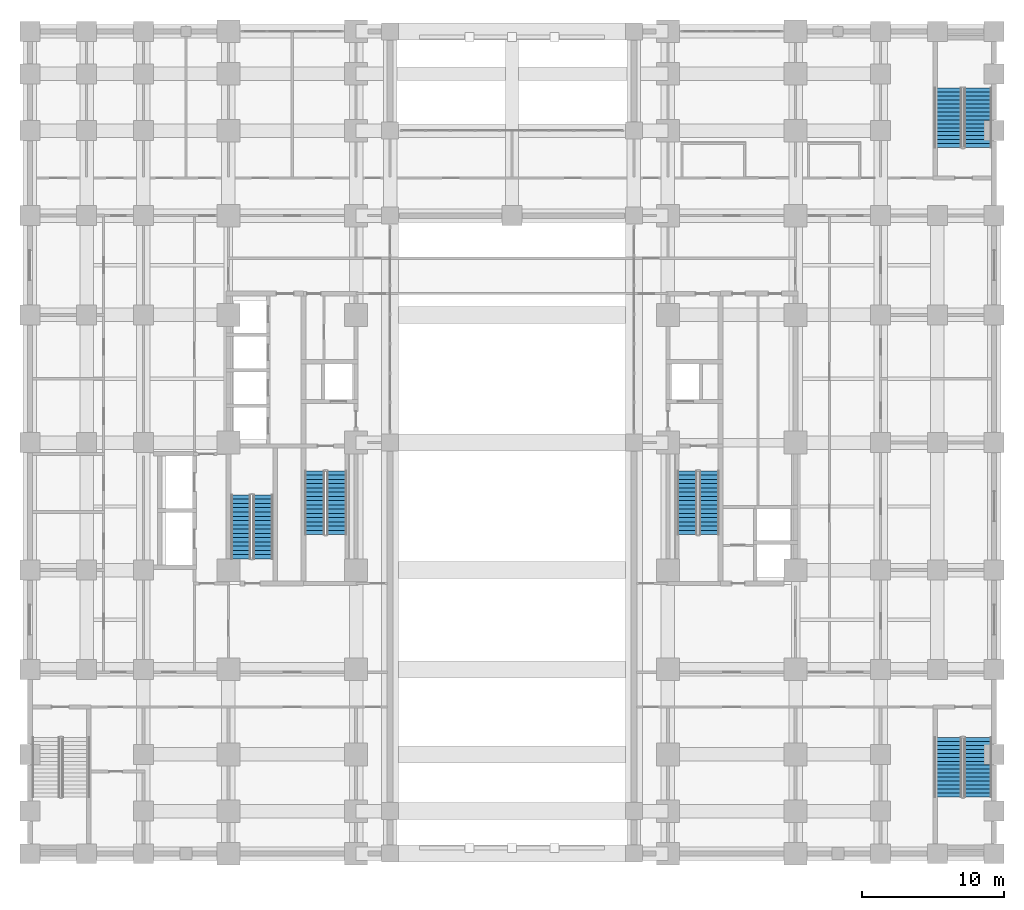
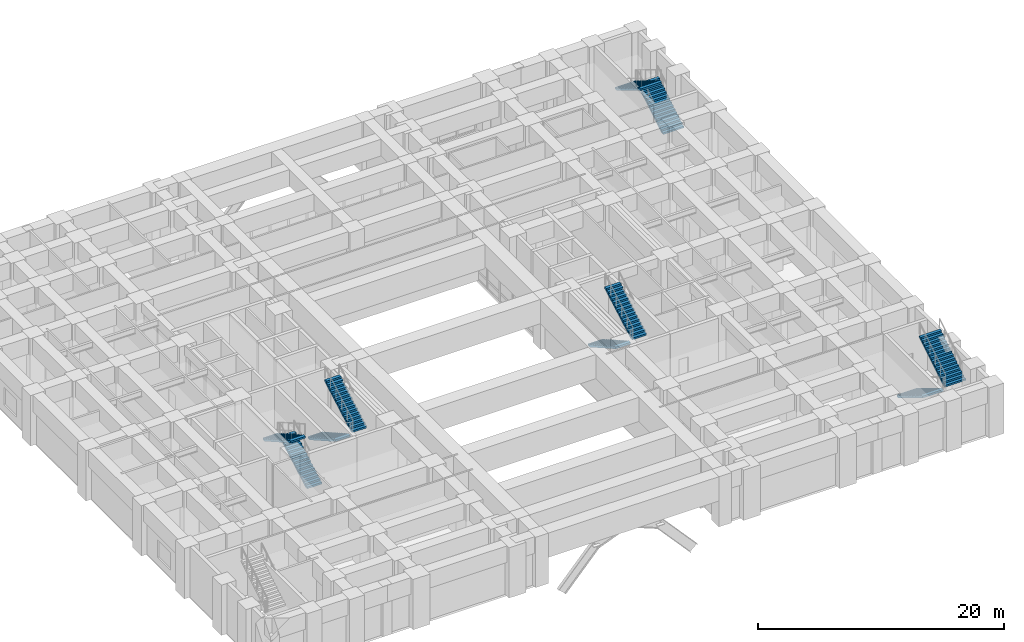
# One storey, part 18 of 24: 10 stair flights, 5 elements without a shape of their own.
"""IFC4 building model written with IfcOpenShell, lengths in metres."""

from ifc_helpers import new_model, si_unit, direction, frame, origin, place, context, subcontext, project, spatial, polyline, outline, extrude, material, layer, layer_set, type_object, element, aggregate, save


model = new_model("IFC4")

# Units and contexts
model_context = context("Model", 3, precision=1e-05, world=origin(), true_north=direction((0.0, 1.0)))
body_context = subcontext(model_context, "Body", "Model", "MODEL_VIEW")
ifc_project = project(units=[si_unit("LENGTHUNIT", "METRE"), si_unit("AREAUNIT", "SQUARE_METRE"), si_unit("VOLUMEUNIT", "CUBIC_METRE"), si_unit("PLANEANGLEUNIT", "RADIAN"), si_unit("MASSUNIT", "GRAM", prefix="KILO")], contexts=[model_context])

# Site, building, storey
site_placement = place(None, origin())
site = spatial("IfcSite", under=ifc_project, at=site_placement, CompositionType="ELEMENT")
building_placement = place(site_placement, origin())
building = spatial("IfcBuilding", under=site, at=building_placement, Name="Zulmaris Gate Convention Tower", CompositionType="ELEMENT")
storey_placement = place(building_placement, frame((0.0, 0.0, 16.320068359375)))
storey = spatial("IfcBuildingStorey", under=building, at=storey_placement, Name="L03", CompositionType="ELEMENT", Elevation=16.320068359375)

# Stair, stair flights
ifc_material = material(Name="Concrete C45/55", Category="concrete")
stair_type_1 = type_object("IfcStairType", Name="ST-CORE-DOGLEG", PredefinedType="HALF_TURN_STAIR", material=ifc_material)
stair_1_placement = place(storey_placement, origin())
stair_1 = element("IfcStair", 1, at=stair_1_placement, inside=storey, type_object=stair_type_1, Name="L03 Core Exit Stair ST-1", PredefinedType="HALF_TURN_STAIR")
ifc_layer_1 = layer(ifc_material, 0.14990234375, Name="Concrete C45/55")
ifc_layer_set_1 = layer_set([ifc_layer_1], Name="Concrete C45/55")
stair_flight_type_1 = type_object("IfcStairFlightType", Name="STF-RC150", PredefinedType="STRAIGHT", material=ifc_layer_set_1)
stair_flight_1_placement = place(storey_placement, frame((-13.919921875, -2.0, 0.0), z_axis=(0.0, 0.0, 1.0), x_axis=(0.0, -1.0, 0.0)))
stair_flight_1 = element("IfcStairFlight", 2, at=stair_flight_1_placement, type_object=stair_flight_type_1, Name="ST-1 flight 1", NumberOfRisers=16, NumberOfTreads=15, PredefinedType="STRAIGHT", RiserHeight=0.169996875, TreadLength=0.3, context=body_context, shape_type="SweptSolid", body=[
    extrude(outline(polyline([(0.0, 0.0), (0.0, 0.169921875), (0.300048828125, 0.169921875), (0.300048828125, 0.340087890625), (0.60009765625, 0.340087890625), (0.60009765625, 0.510009765625), (0.89990234375, 0.510009765625), (0.89990234375, 0.679931640625), (1.199951171875, 0.679931640625), (1.199951171875, 0.85009765625), (1.5, 0.85009765625), (1.5, 1.02001953125), (1.800048828125, 1.02001953125), (1.800048828125, 1.18994140625), (2.10009765625, 1.18994140625), (2.10009765625, 1.35986328125), (2.39990234375, 1.35986328125), (2.39990234375, 1.530029296875), (2.699951171875, 1.530029296875), (2.699951171875, 1.699951171875), (3.0, 1.699951171875), (3.0, 1.869873046875), (3.300048828125, 1.869873046875), (3.300048828125, 2.0400390625), (3.60009765625, 2.0400390625), (3.60009765625, 2.2099609375), (3.89990234375, 2.2099609375), (3.89990234375, 2.3798828125), (4.199951171875, 2.3798828125), (4.199951171875, 2.550048828125), (4.5, 2.550048828125), (4.5, 2.719970703125), (4.5, 2.377685546875), (0.303955078125, 0.0), (0.0, 0.0)])), frame((0.0, 0.699951171875, 0.0), z_axis=(0.0, -1.0, 0.0), x_axis=(1.0, 0.0, 0.0)), (0.0, 0.0, 1.0), 1.39990234375),
])
stair_flight_2_placement = place(storey_placement, frame((-12.360107421875, -6.5, 2.719970703125), z_axis=(0.0, 0.0, 1.0), x_axis=(0.0, 1.0, 0.0)))
stair_flight_2 = element("IfcStairFlight", 3, at=stair_flight_2_placement, type_object=stair_flight_type_1, Name="ST-1 flight 2", NumberOfRisers=16, NumberOfTreads=15, PredefinedType="STRAIGHT", RiserHeight=0.169996875, TreadLength=0.3, context=body_context, shape_type="SweptSolid", body=[
    extrude(outline(polyline([(0.0, 0.0), (0.0, 0.169921875), (0.300048828125, 0.169921875), (0.300048828125, 0.340087890625), (0.60009765625, 0.340087890625), (0.60009765625, 0.510009765625), (0.89990234375, 0.510009765625), (0.89990234375, 0.679931640625), (1.199951171875, 0.679931640625), (1.199951171875, 0.85009765625), (1.5, 0.85009765625), (1.5, 1.02001953125), (1.800048828125, 1.02001953125), (1.800048828125, 1.18994140625), (2.10009765625, 1.18994140625), (2.10009765625, 1.35986328125), (2.39990234375, 1.35986328125), (2.39990234375, 1.530029296875), (2.699951171875, 1.530029296875), (2.699951171875, 1.699951171875), (3.0, 1.699951171875), (3.0, 1.869873046875), (3.300048828125, 1.869873046875), (3.300048828125, 2.0400390625), (3.60009765625, 2.0400390625), (3.60009765625, 2.2099609375), (3.89990234375, 2.2099609375), (3.89990234375, 2.3798828125), (4.199951171875, 2.3798828125), (4.199951171875, 2.550048828125), (4.5, 2.550048828125), (4.5, 2.719970703125), (4.5, 2.377685546875), (0.303955078125, 0.0), (0.0, 0.0)])), frame((0.0, 0.699951171875, 0.0), z_axis=(0.0, -1.0, 0.0), x_axis=(1.0, 0.0, 0.0)), (0.0, 0.0, 1.0), 1.39990234375),
])
aggregate(stair_1, [stair_flight_1, stair_flight_2])

stair_2_placement = place(storey_placement, origin())
stair_2 = element("IfcStair", 4, at=stair_2_placement, inside=storey, type_object=stair_type_1, Name="L03 Core Exit Stair ST-2", PredefinedType="HALF_TURN_STAIR")
stair_flight_3_placement = place(storey_placement, frame((12.360107421875, -2.0, 0.0), z_axis=(0.0, 0.0, 1.0), x_axis=(0.0, -1.0, 0.0)))
stair_flight_3 = element("IfcStairFlight", 5, at=stair_flight_3_placement, type_object=stair_flight_type_1, Name="ST-2 flight 1", NumberOfRisers=16, NumberOfTreads=15, PredefinedType="STRAIGHT", RiserHeight=0.169996875, TreadLength=0.3, context=body_context, shape_type="SweptSolid", body=[
    extrude(outline(polyline([(0.0, 0.0), (0.0, 0.169921875), (0.300048828125, 0.169921875), (0.300048828125, 0.340087890625), (0.60009765625, 0.340087890625), (0.60009765625, 0.510009765625), (0.89990234375, 0.510009765625), (0.89990234375, 0.679931640625), (1.199951171875, 0.679931640625), (1.199951171875, 0.85009765625), (1.5, 0.85009765625), (1.5, 1.02001953125), (1.800048828125, 1.02001953125), (1.800048828125, 1.18994140625), (2.10009765625, 1.18994140625), (2.10009765625, 1.35986328125), (2.39990234375, 1.35986328125), (2.39990234375, 1.530029296875), (2.699951171875, 1.530029296875), (2.699951171875, 1.699951171875), (3.0, 1.699951171875), (3.0, 1.869873046875), (3.300048828125, 1.869873046875), (3.300048828125, 2.0400390625), (3.60009765625, 2.0400390625), (3.60009765625, 2.2099609375), (3.89990234375, 2.2099609375), (3.89990234375, 2.3798828125), (4.199951171875, 2.3798828125), (4.199951171875, 2.550048828125), (4.5, 2.550048828125), (4.5, 2.719970703125), (4.5, 2.377685546875), (0.303955078125, 0.0), (0.0, 0.0)])), frame((0.0, 0.699951171875, 0.0), z_axis=(0.0, -1.0, 0.0), x_axis=(1.0, 0.0, 0.0)), (0.0, 0.0, 1.0), 1.39990234375),
])
stair_flight_4_placement = place(storey_placement, frame((13.919921875, -6.5, 2.719970703125), z_axis=(0.0, 0.0, 1.0), x_axis=(0.0, 1.0, 0.0)))
stair_flight_4 = element("IfcStairFlight", 6, at=stair_flight_4_placement, type_object=stair_flight_type_1, Name="ST-2 flight 2", NumberOfRisers=16, NumberOfTreads=15, PredefinedType="STRAIGHT", RiserHeight=0.169996875, TreadLength=0.3, context=body_context, shape_type="SweptSolid", body=[
    extrude(outline(polyline([(0.0, 0.0), (0.0, 0.169921875), (0.300048828125, 0.169921875), (0.300048828125, 0.340087890625), (0.60009765625, 0.340087890625), (0.60009765625, 0.510009765625), (0.89990234375, 0.510009765625), (0.89990234375, 0.679931640625), (1.199951171875, 0.679931640625), (1.199951171875, 0.85009765625), (1.5, 0.85009765625), (1.5, 1.02001953125), (1.800048828125, 1.02001953125), (1.800048828125, 1.18994140625), (2.10009765625, 1.18994140625), (2.10009765625, 1.35986328125), (2.39990234375, 1.35986328125), (2.39990234375, 1.530029296875), (2.699951171875, 1.530029296875), (2.699951171875, 1.699951171875), (3.0, 1.699951171875), (3.0, 1.869873046875), (3.300048828125, 1.869873046875), (3.300048828125, 2.0400390625), (3.60009765625, 2.0400390625), (3.60009765625, 2.2099609375), (3.89990234375, 2.2099609375), (3.89990234375, 2.3798828125), (4.199951171875, 2.3798828125), (4.199951171875, 2.550048828125), (4.5, 2.550048828125), (4.5, 2.719970703125), (4.5, 2.377685546875), (0.303955078125, 0.0), (0.0, 0.0)])), frame((0.0, 0.699951171875, 0.0), z_axis=(0.0, -1.0, 0.0), x_axis=(1.0, 0.0, 0.0)), (0.0, 0.0, 1.0), 1.39990234375),
])
aggregate(stair_2, [stair_flight_3, stair_flight_4])

stair_3_placement = place(storey_placement, origin())
stair_3 = element("IfcStair", 7, at=stair_3_placement, inside=storey, type_object=stair_type_1, Name="L03 Core Exit Stair ST-3", PredefinedType="HALF_TURN_STAIR")
stair_flight_5_placement = place(storey_placement, frame((-17.56005859375, -8.199951171875, 0.0), z_axis=(0.0, 0.0, 1.0), x_axis=(0.0, 1.0, 0.0)))
stair_flight_5 = element("IfcStairFlight", 8, at=stair_flight_5_placement, type_object=stair_flight_type_1, Name="ST-3 flight 1", NumberOfRisers=16, NumberOfTreads=15, PredefinedType="STRAIGHT", RiserHeight=0.169996875, TreadLength=0.3, context=body_context, shape_type="SweptSolid", body=[
    extrude(outline(polyline([(0.0, 0.0), (0.0, 0.169921875), (0.300048828125, 0.169921875), (0.300048828125, 0.340087890625), (0.60009765625, 0.340087890625), (0.60009765625, 0.510009765625), (0.89990234375, 0.510009765625), (0.89990234375, 0.679931640625), (1.199951171875, 0.679931640625), (1.199951171875, 0.85009765625), (1.5, 0.85009765625), (1.5, 1.02001953125), (1.800048828125, 1.02001953125), (1.800048828125, 1.18994140625), (2.10009765625, 1.18994140625), (2.10009765625, 1.35986328125), (2.39990234375, 1.35986328125), (2.39990234375, 1.530029296875), (2.699951171875, 1.530029296875), (2.699951171875, 1.699951171875), (3.0, 1.699951171875), (3.0, 1.869873046875), (3.300048828125, 1.869873046875), (3.300048828125, 2.0400390625), (3.60009765625, 2.0400390625), (3.60009765625, 2.2099609375), (3.89990234375, 2.2099609375), (3.89990234375, 2.3798828125), (4.199951171875, 2.3798828125), (4.199951171875, 2.550048828125), (4.5, 2.550048828125), (4.5, 2.719970703125), (4.5, 2.377685546875), (0.303955078125, 0.0), (0.0, 0.0)])), frame((0.0, 0.699951171875, 0.0), z_axis=(0.0, -1.0, 0.0), x_axis=(1.0, 0.0, 0.0)), (0.0, 0.0, 1.0), 1.39990234375),
])
stair_flight_6_placement = place(storey_placement, frame((-19.1201171875, -3.699951171875, 2.719970703125), z_axis=(0.0, 0.0, 1.0), x_axis=(0.0, -1.0, 0.0)))
stair_flight_6 = element("IfcStairFlight", 9, at=stair_flight_6_placement, type_object=stair_flight_type_1, Name="ST-3 flight 2", NumberOfRisers=16, NumberOfTreads=15, PredefinedType="STRAIGHT", RiserHeight=0.169996875, TreadLength=0.3, context=body_context, shape_type="SweptSolid", body=[
    extrude(outline(polyline([(0.0, 0.0), (0.0, 0.169921875), (0.300048828125, 0.169921875), (0.300048828125, 0.340087890625), (0.60009765625, 0.340087890625), (0.60009765625, 0.510009765625), (0.89990234375, 0.510009765625), (0.89990234375, 0.679931640625), (1.199951171875, 0.679931640625), (1.199951171875, 0.85009765625), (1.5, 0.85009765625), (1.5, 1.02001953125), (1.800048828125, 1.02001953125), (1.800048828125, 1.18994140625), (2.10009765625, 1.18994140625), (2.10009765625, 1.35986328125), (2.39990234375, 1.35986328125), (2.39990234375, 1.530029296875), (2.699951171875, 1.530029296875), (2.699951171875, 1.699951171875), (3.0, 1.699951171875), (3.0, 1.869873046875), (3.300048828125, 1.869873046875), (3.300048828125, 2.0400390625), (3.60009765625, 2.0400390625), (3.60009765625, 2.2099609375), (3.89990234375, 2.2099609375), (3.89990234375, 2.3798828125), (4.199951171875, 2.3798828125), (4.199951171875, 2.550048828125), (4.5, 2.550048828125), (4.5, 2.719970703125), (4.5, 2.377685546875), (0.303955078125, 0.0), (0.0, 0.0)])), frame((0.0, 0.699951171875, 0.0), z_axis=(0.0, -1.0, 0.0), x_axis=(1.0, 0.0, 0.0)), (0.0, 0.0, 1.0), 1.39990234375),
])
aggregate(stair_3, [stair_flight_5, stair_flight_6])

stair_type_2 = type_object("IfcStairType", Name="ST-POD-DOGLEG", PredefinedType="HALF_TURN_STAIR", material=ifc_material)
stair_4_placement = place(storey_placement, origin())
stair_4 = element("IfcStair", 10, at=stair_4_placement, inside=storey, type_object=stair_type_2, Name="L03 Podium Exit Stair ST-5", PredefinedType="HALF_TURN_STAIR")
ifc_layer_2 = layer(ifc_material, 0.159912109375, Name="Concrete C45/55")
ifc_layer_set_2 = layer_set([ifc_layer_2], Name="Concrete C45/55")
stair_flight_type_2 = type_object("IfcStairFlightType", Name="STF-RC195", PredefinedType="STRAIGHT", material=ifc_layer_set_2)
stair_flight_7_placement = place(storey_placement, frame((32.85498046875, 20.800048828125, 0.0), z_axis=(0.0, 0.0, 1.0), x_axis=(0.0, 1.0, 0.0)))
stair_flight_7 = element("IfcStairFlight", 11, at=stair_flight_7_placement, type_object=stair_flight_type_2, Name="ST-5 flight 1", NumberOfRisers=16, NumberOfTreads=15, PredefinedType="STRAIGHT", RiserHeight=0.169996875, TreadLength=0.28, context=body_context, shape_type="SweptSolid", body=[
    extrude(outline(polyline([(0.0, 0.0), (0.0, 0.169921875), (0.280029296875, 0.169921875), (0.280029296875, 0.340087890625), (0.56005859375, 0.340087890625), (0.56005859375, 0.510009765625), (0.840087890625, 0.510009765625), (0.840087890625, 0.679931640625), (1.1201171875, 0.679931640625), (1.1201171875, 0.85009765625), (1.39990234375, 0.85009765625), (1.39990234375, 1.02001953125), (1.679931640625, 1.02001953125), (1.679931640625, 1.18994140625), (1.9599609375, 1.18994140625), (1.9599609375, 1.35986328125), (2.239990234375, 1.35986328125), (2.239990234375, 1.530029296875), (2.52001953125, 1.530029296875), (2.52001953125, 1.699951171875), (2.800048828125, 1.699951171875), (2.800048828125, 1.869873046875), (3.080078125, 1.869873046875), (3.080078125, 2.0400390625), (3.360107421875, 2.0400390625), (3.360107421875, 2.2099609375), (3.639892578125, 2.2099609375), (3.639892578125, 2.3798828125), (3.919921875, 2.3798828125), (3.919921875, 2.550048828125), (4.199951171875, 2.550048828125), (4.199951171875, 2.719970703125), (4.199951171875, 2.37451171875), (0.288818359375, 0.0), (0.0, 0.0)])), frame((0.0, 0.97509765625, 0.0), z_axis=(0.0, -1.0, 0.0), x_axis=(1.0, 0.0, 0.0)), (0.0, 0.0, 1.0), 1.949951171875),
])
stair_flight_8_placement = place(storey_placement, frame((30.7548828125, 25.0, 2.719970703125), z_axis=(0.0, 0.0, 1.0), x_axis=(0.0, -1.0, 0.0)))
stair_flight_8 = element("IfcStairFlight", 12, at=stair_flight_8_placement, type_object=stair_flight_type_2, Name="ST-5 flight 2", NumberOfRisers=16, NumberOfTreads=15, PredefinedType="STRAIGHT", RiserHeight=0.169996875, TreadLength=0.28, context=body_context, shape_type="SweptSolid", body=[
    extrude(outline(polyline([(0.0, 0.0), (0.0, 0.169921875), (0.280029296875, 0.169921875), (0.280029296875, 0.340087890625), (0.56005859375, 0.340087890625), (0.56005859375, 0.510009765625), (0.840087890625, 0.510009765625), (0.840087890625, 0.679931640625), (1.1201171875, 0.679931640625), (1.1201171875, 0.85009765625), (1.39990234375, 0.85009765625), (1.39990234375, 1.02001953125), (1.679931640625, 1.02001953125), (1.679931640625, 1.18994140625), (1.9599609375, 1.18994140625), (1.9599609375, 1.35986328125), (2.239990234375, 1.35986328125), (2.239990234375, 1.530029296875), (2.52001953125, 1.530029296875), (2.52001953125, 1.699951171875), (2.800048828125, 1.699951171875), (2.800048828125, 1.869873046875), (3.080078125, 1.869873046875), (3.080078125, 2.0400390625), (3.360107421875, 2.0400390625), (3.360107421875, 2.2099609375), (3.639892578125, 2.2099609375), (3.639892578125, 2.3798828125), (3.919921875, 2.3798828125), (3.919921875, 2.550048828125), (4.199951171875, 2.550048828125), (4.199951171875, 2.719970703125), (4.199951171875, 2.37451171875), (0.288818359375, 0.0), (0.0, 0.0)])), frame((0.0, 0.97509765625, 0.0), z_axis=(0.0, -1.0, 0.0), x_axis=(1.0, 0.0, 0.0)), (0.0, 0.0, 1.0), 1.949951171875),
])
aggregate(stair_4, [stair_flight_7, stair_flight_8])

stair_5_placement = place(storey_placement, origin())
stair_5 = element("IfcStair", 13, at=stair_5_placement, inside=storey, type_object=stair_type_2, Name="L03 Podium Exit Stair ST-6", PredefinedType="HALF_TURN_STAIR")
stair_flight_9_placement = place(storey_placement, frame((30.7548828125, -20.800048828125, 0.0), z_axis=(0.0, 0.0, 1.0), x_axis=(0.0, -1.0, 0.0)))
stair_flight_9 = element("IfcStairFlight", 14, at=stair_flight_9_placement, type_object=stair_flight_type_2, Name="ST-6 flight 1", NumberOfRisers=16, NumberOfTreads=15, PredefinedType="STRAIGHT", RiserHeight=0.169996875, TreadLength=0.28, context=body_context, shape_type="SweptSolid", body=[
    extrude(outline(polyline([(0.0, 0.0), (0.0, 0.169921875), (0.280029296875, 0.169921875), (0.280029296875, 0.340087890625), (0.56005859375, 0.340087890625), (0.56005859375, 0.510009765625), (0.840087890625, 0.510009765625), (0.840087890625, 0.679931640625), (1.1201171875, 0.679931640625), (1.1201171875, 0.85009765625), (1.39990234375, 0.85009765625), (1.39990234375, 1.02001953125), (1.679931640625, 1.02001953125), (1.679931640625, 1.18994140625), (1.9599609375, 1.18994140625), (1.9599609375, 1.35986328125), (2.239990234375, 1.35986328125), (2.239990234375, 1.530029296875), (2.52001953125, 1.530029296875), (2.52001953125, 1.699951171875), (2.800048828125, 1.699951171875), (2.800048828125, 1.869873046875), (3.080078125, 1.869873046875), (3.080078125, 2.0400390625), (3.360107421875, 2.0400390625), (3.360107421875, 2.2099609375), (3.639892578125, 2.2099609375), (3.639892578125, 2.3798828125), (3.919921875, 2.3798828125), (3.919921875, 2.550048828125), (4.199951171875, 2.550048828125), (4.199951171875, 2.719970703125), (4.199951171875, 2.37451171875), (0.288818359375, 0.0), (0.0, 0.0)])), frame((0.0, 0.97509765625, 0.0), z_axis=(0.0, -1.0, 0.0), x_axis=(1.0, 0.0, 0.0)), (0.0, 0.0, 1.0), 1.949951171875),
])
stair_flight_10_placement = place(storey_placement, frame((32.85498046875, -25.0, 2.719970703125), z_axis=(0.0, 0.0, 1.0), x_axis=(0.0, 1.0, 0.0)))
stair_flight_10 = element("IfcStairFlight", 15, at=stair_flight_10_placement, type_object=stair_flight_type_2, Name="ST-6 flight 2", NumberOfRisers=16, NumberOfTreads=15, PredefinedType="STRAIGHT", RiserHeight=0.169996875, TreadLength=0.28, context=body_context, shape_type="SweptSolid", body=[
    extrude(outline(polyline([(0.0, 0.0), (0.0, 0.169921875), (0.280029296875, 0.169921875), (0.280029296875, 0.340087890625), (0.56005859375, 0.340087890625), (0.56005859375, 0.510009765625), (0.840087890625, 0.510009765625), (0.840087890625, 0.679931640625), (1.1201171875, 0.679931640625), (1.1201171875, 0.85009765625), (1.39990234375, 0.85009765625), (1.39990234375, 1.02001953125), (1.679931640625, 1.02001953125), (1.679931640625, 1.18994140625), (1.9599609375, 1.18994140625), (1.9599609375, 1.35986328125), (2.239990234375, 1.35986328125), (2.239990234375, 1.530029296875), (2.52001953125, 1.530029296875), (2.52001953125, 1.699951171875), (2.800048828125, 1.699951171875), (2.800048828125, 1.869873046875), (3.080078125, 1.869873046875), (3.080078125, 2.0400390625), (3.360107421875, 2.0400390625), (3.360107421875, 2.2099609375), (3.639892578125, 2.2099609375), (3.639892578125, 2.3798828125), (3.919921875, 2.3798828125), (3.919921875, 2.550048828125), (4.199951171875, 2.550048828125), (4.199951171875, 2.719970703125), (4.199951171875, 2.37451171875), (0.288818359375, 0.0), (0.0, 0.0)])), frame((0.0, 0.97509765625, 0.0), z_axis=(0.0, -1.0, 0.0), x_axis=(1.0, 0.0, 0.0)), (0.0, 0.0, 1.0), 1.949951171875),
])
aggregate(stair_5, [stair_flight_9, stair_flight_10])

save(model, "model.ifc")
